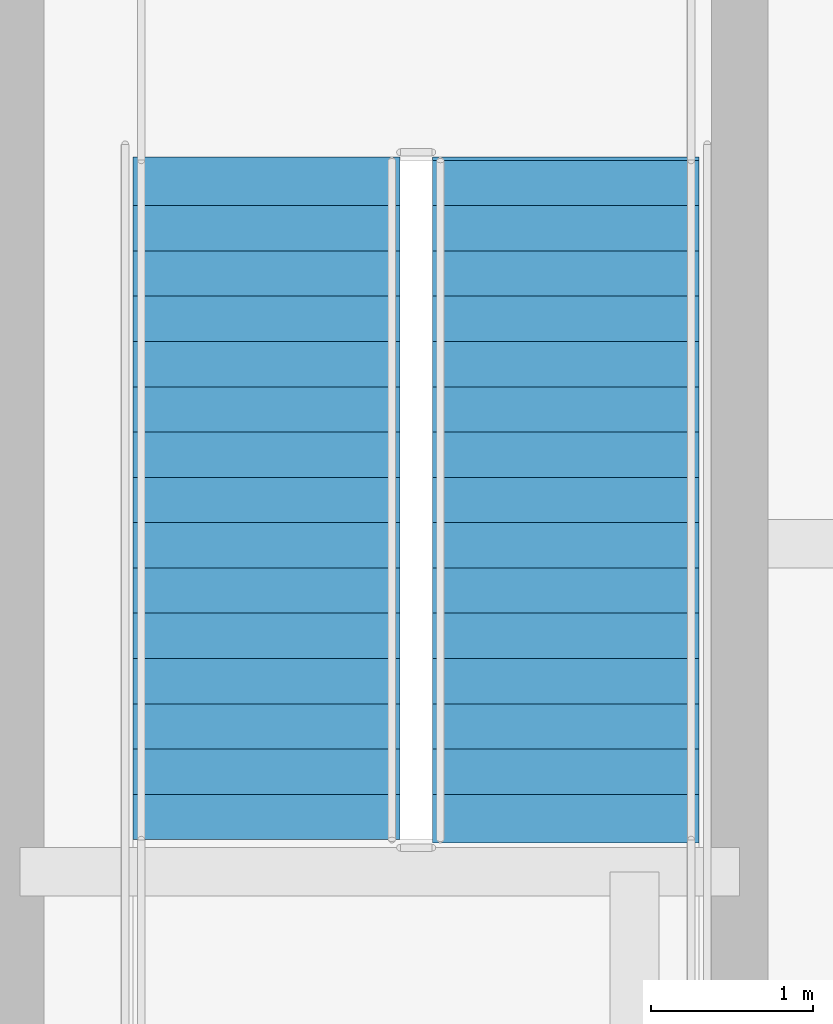
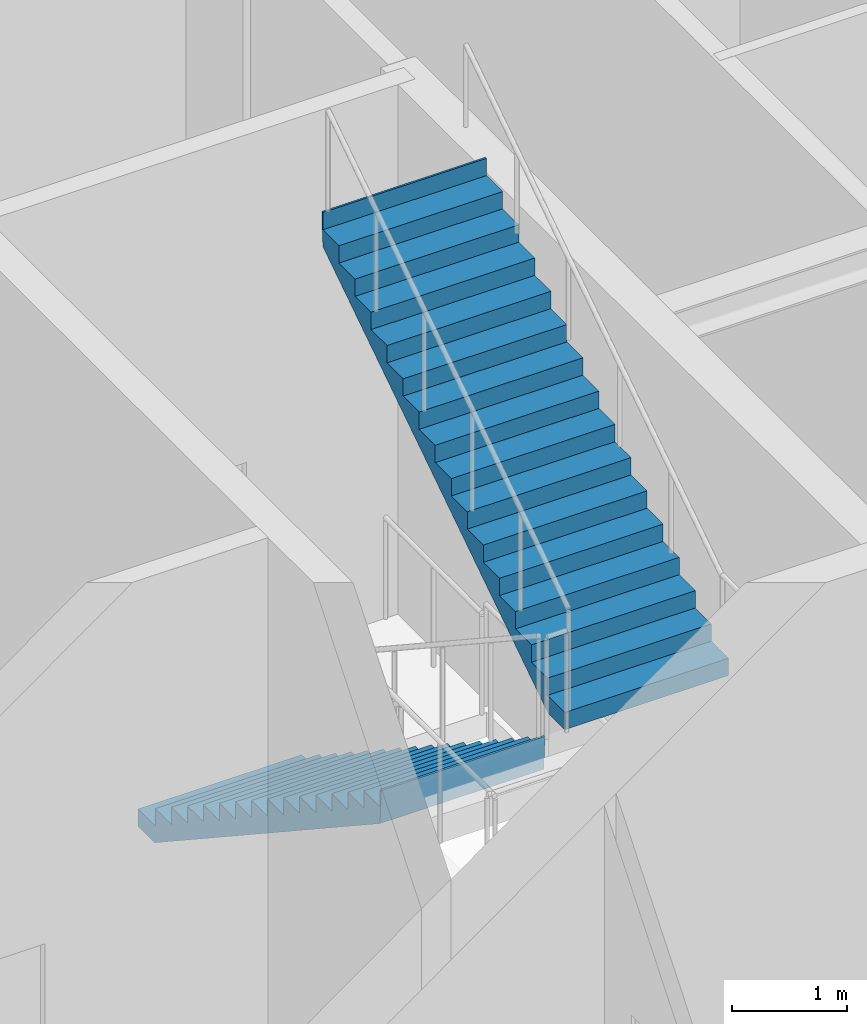
# One storey, part 33 of 38: 2 stair flights, 1 element without a shape of its own.
"""IFC4 building model written with IfcOpenShell, lengths in metres."""

from ifc_helpers import new_model, si_unit, direction, frame, origin, place, context, subcontext, project, spatial, polygons, material, type_object, element, aggregate, save


model = new_model("IFC4")

# Units and contexts
model_context = context("Model", 3, precision=1e-05, world=origin(), true_north=direction((0.0, 1.0)))
body_context = subcontext(model_context, "Body", "Model", "MODEL_VIEW")
ifc_project = project(units=[si_unit("LENGTHUNIT", "METRE"), si_unit("AREAUNIT", "SQUARE_METRE"), si_unit("VOLUMEUNIT", "CUBIC_METRE"), si_unit("PLANEANGLEUNIT", "RADIAN"), si_unit("MASSUNIT", "GRAM", prefix="KILO")], contexts=[model_context])

# Site, building, storey
site_placement = place(None, origin())
site = spatial("IfcSite", under=ifc_project, at=site_placement, CompositionType="ELEMENT")
building_placement = place(site_placement, origin())
building = spatial("IfcBuilding", under=site, at=building_placement, Name="Serunith Strait Residences", CompositionType="ELEMENT")
storey_placement = place(building_placement, frame((0.0, 0.0, 342.050048828125)))
storey = spatial("IfcBuildingStorey", under=building, at=storey_placement, Name="L85", CompositionType="ELEMENT", Elevation=342.050048828125)

# Stair, stair flights
ifc_material = material(Name="Concrete C50/60", Category="concrete")
stair_type = type_object("IfcStairType", Name="STR-CORE-2", PredefinedType="HALF_TURN_STAIR", material=ifc_material)
stair_placement = place(storey_placement, origin())
stair = element("IfcStair", 1, at=stair_placement, inside=storey, type_object=stair_type, Name="L85 Protected Escape Stair ST-2", PredefinedType="HALF_TURN_STAIR")
stair_flight_type = type_object("IfcStairFlightType", Name="FLT-CORE-2", PredefinedType="STRAIGHT", material=ifc_material)
stair_flight_1_placement = place(storey_placement, frame((38.47509765625, 23.3701171875, 0.0), z_axis=(0.0, 0.0, 1.0), x_axis=(0.0, -1.0, 0.0)))
stair_flight_1 = element("IfcStairFlight", 2, at=stair_flight_1_placement, type_object=stair_flight_type, Name="ST-2 flight 1", NumberOfRisers=16, NumberOfTreads=15, PredefinedType="STRAIGHT", RiserHeight=0.184375, TreadLength=0.28, context=body_context, shape_type="Tessellation", body=[
    polygons([(-0.02001953125, -0.824951171875, 0.0), (-0.02001953125, -0.824951171875, 0.184326171875), (0.280029296875, -0.824951171875, 0.184326171875), (0.280029296875, -0.824951171875, 0.36865234375), (0.56005859375, -0.824951171875, 0.36865234375), (0.56005859375, -0.824951171875, 0.55322265625), (0.840087890625, -0.824951171875, 0.55322265625), (0.840087890625, -0.824951171875, 0.737548828125), (1.1201171875, -0.824951171875, 0.737548828125), (1.1201171875, -0.824951171875, 0.921875), (1.39990234375, -0.824951171875, 0.921875), (1.39990234375, -0.824951171875, 1.106201171875), (1.679931640625, -0.824951171875, 1.106201171875), (1.679931640625, -0.824951171875, 1.29052734375), (1.9599609375, -0.824951171875, 1.29052734375), (1.9599609375, -0.824951171875, 1.47509765625), (2.239990234375, -0.824951171875, 1.47509765625), (2.239990234375, -0.824951171875, 1.659423828125), (2.52001953125, -0.824951171875, 1.659423828125), (2.52001953125, -0.824951171875, 1.84375), (2.800048828125, -0.824951171875, 1.84375), (2.800048828125, -0.824951171875, 2.028076171875), (3.080078125, -0.824951171875, 2.028076171875), (3.080078125, -0.824951171875, 2.21240234375), (3.360107421875, -0.824951171875, 2.21240234375), (3.360107421875, -0.824951171875, 2.39697265625), (3.639892578125, -0.824951171875, 2.39697265625), (3.639892578125, -0.824951171875, 2.581298828125), (3.919921875, -0.824951171875, 2.581298828125), (3.919921875, -0.824951171875, 2.765625), (4.199951171875, -0.824951171875, 2.765625), (4.199951171875, -0.824951171875, 2.949951171875), (4.219970703125, -0.824951171875, 2.949951171875), (4.219970703125, -0.824951171875, 2.889892578125), (4.199951171875, -0.824951171875, 2.586181640625), (0.2724609375, -0.824951171875, 0.0), (-0.02001953125, -0.41259765625, 0.0), (-0.02001953125, -0.41259765625, 0.184326171875), (0.280029296875, -0.41259765625, 0.184326171875), (0.280029296875, -0.41259765625, 0.36865234375), (0.56005859375, -0.41259765625, 0.36865234375), (0.56005859375, -0.41259765625, 0.55322265625), (0.840087890625, -0.41259765625, 0.55322265625), (0.840087890625, -0.41259765625, 0.737548828125), (1.1201171875, -0.41259765625, 0.737548828125), (1.1201171875, -0.41259765625, 0.921875), (1.39990234375, -0.41259765625, 0.921875), (1.39990234375, -0.41259765625, 1.106201171875), (1.679931640625, -0.41259765625, 1.106201171875), (1.679931640625, -0.41259765625, 1.29052734375), (1.9599609375, -0.41259765625, 1.29052734375), (1.9599609375, -0.41259765625, 1.47509765625), (2.239990234375, -0.41259765625, 1.47509765625), (2.239990234375, -0.41259765625, 1.659423828125), (2.52001953125, -0.41259765625, 1.659423828125), (2.52001953125, -0.41259765625, 1.84375), (2.800048828125, -0.41259765625, 1.84375), (2.800048828125, -0.41259765625, 2.028076171875), (3.080078125, -0.41259765625, 2.028076171875), (3.080078125, -0.41259765625, 2.21240234375), (3.360107421875, -0.41259765625, 2.21240234375), (3.360107421875, -0.41259765625, 2.39697265625), (3.639892578125, -0.41259765625, 2.39697265625), (3.639892578125, -0.41259765625, 2.581298828125), (3.919921875, -0.41259765625, 2.581298828125), (3.919921875, -0.41259765625, 2.765625), (4.199951171875, -0.41259765625, 2.765625), (4.199951171875, -0.41259765625, 2.949951171875), (4.219970703125, -0.41259765625, 2.949951171875), (4.219970703125, -0.41259765625, 2.889892578125), (4.199951171875, -0.41259765625, 2.586181640625), (0.2724609375, -0.41259765625, 0.0), (-0.02001953125, 0.0, 0.0), (-0.02001953125, 0.0, 0.184326171875), (0.280029296875, 0.0, 0.184326171875), (0.280029296875, 0.0, 0.36865234375), (0.56005859375, 0.0, 0.36865234375), (0.56005859375, 0.0, 0.55322265625), (0.840087890625, 0.0, 0.55322265625), (0.840087890625, 0.0, 0.737548828125), (1.1201171875, 0.0, 0.737548828125), (1.1201171875, 0.0, 0.921875), (1.39990234375, 0.0, 0.921875), (1.39990234375, 0.0, 1.106201171875), (1.679931640625, 0.0, 1.106201171875), (1.679931640625, 0.0, 1.29052734375), (1.9599609375, 0.0, 1.29052734375), (1.9599609375, 0.0, 1.47509765625), (2.239990234375, 0.0, 1.47509765625), (2.239990234375, 0.0, 1.659423828125), (2.52001953125, 0.0, 1.659423828125), (2.52001953125, 0.0, 1.84375), (2.800048828125, 0.0, 1.84375), (2.800048828125, 0.0, 2.028076171875), (3.080078125, 0.0, 2.028076171875), (3.080078125, 0.0, 2.21240234375), (3.360107421875, 0.0, 2.21240234375), (3.360107421875, 0.0, 2.39697265625), (3.639892578125, 0.0, 2.39697265625), (3.639892578125, 0.0, 2.581298828125), (3.919921875, 0.0, 2.581298828125), (3.919921875, 0.0, 2.765625), (4.199951171875, 0.0, 2.765625), (4.199951171875, 0.0, 2.949951171875), (4.219970703125, 0.0, 2.949951171875), (4.219970703125, 0.0, 2.889892578125), (4.199951171875, 0.0, 2.586181640625), (0.2724609375, 0.0, 0.0), (-0.02001953125, 0.41259765625, 0.0), (-0.02001953125, 0.41259765625, 0.184326171875), (0.280029296875, 0.41259765625, 0.184326171875), (0.280029296875, 0.41259765625, 0.36865234375), (0.56005859375, 0.41259765625, 0.36865234375), (0.56005859375, 0.41259765625, 0.55322265625), (0.840087890625, 0.41259765625, 0.55322265625), (0.840087890625, 0.41259765625, 0.737548828125), (1.1201171875, 0.41259765625, 0.737548828125), (1.1201171875, 0.41259765625, 0.921875), (1.39990234375, 0.41259765625, 0.921875), (1.39990234375, 0.41259765625, 1.106201171875), (1.679931640625, 0.41259765625, 1.106201171875), (1.679931640625, 0.41259765625, 1.29052734375), (1.9599609375, 0.41259765625, 1.29052734375), (1.9599609375, 0.41259765625, 1.47509765625), (2.239990234375, 0.41259765625, 1.47509765625), (2.239990234375, 0.41259765625, 1.659423828125), (2.52001953125, 0.41259765625, 1.659423828125), (2.52001953125, 0.41259765625, 1.84375), (2.800048828125, 0.41259765625, 1.84375), (2.800048828125, 0.41259765625, 2.028076171875), (3.080078125, 0.41259765625, 2.028076171875), (3.080078125, 0.41259765625, 2.21240234375), (3.360107421875, 0.41259765625, 2.21240234375), (3.360107421875, 0.41259765625, 2.39697265625), (3.639892578125, 0.41259765625, 2.39697265625), (3.639892578125, 0.41259765625, 2.581298828125), (3.919921875, 0.41259765625, 2.581298828125), (3.919921875, 0.41259765625, 2.765625), (4.199951171875, 0.41259765625, 2.765625), (4.199951171875, 0.41259765625, 2.949951171875), (4.219970703125, 0.41259765625, 2.949951171875), (4.219970703125, 0.41259765625, 2.889892578125), (4.199951171875, 0.41259765625, 2.586181640625), (0.2724609375, 0.41259765625, 0.0), (-0.02001953125, 0.824951171875, 0.0), (-0.02001953125, 0.824951171875, 0.184326171875), (0.280029296875, 0.824951171875, 0.184326171875), (0.280029296875, 0.824951171875, 0.36865234375), (0.56005859375, 0.824951171875, 0.36865234375), (0.56005859375, 0.824951171875, 0.55322265625), (0.840087890625, 0.824951171875, 0.55322265625), (0.840087890625, 0.824951171875, 0.737548828125), (1.1201171875, 0.824951171875, 0.737548828125), (1.1201171875, 0.824951171875, 0.921875), (1.39990234375, 0.824951171875, 0.921875), (1.39990234375, 0.824951171875, 1.106201171875), (1.679931640625, 0.824951171875, 1.106201171875), (1.679931640625, 0.824951171875, 1.29052734375), (1.9599609375, 0.824951171875, 1.29052734375), (1.9599609375, 0.824951171875, 1.47509765625), (2.239990234375, 0.824951171875, 1.47509765625), (2.239990234375, 0.824951171875, 1.659423828125), (2.52001953125, 0.824951171875, 1.659423828125), (2.52001953125, 0.824951171875, 1.84375), (2.800048828125, 0.824951171875, 1.84375), (2.800048828125, 0.824951171875, 2.028076171875), (3.080078125, 0.824951171875, 2.028076171875), (3.080078125, 0.824951171875, 2.21240234375), (3.360107421875, 0.824951171875, 2.21240234375), (3.360107421875, 0.824951171875, 2.39697265625), (3.639892578125, 0.824951171875, 2.39697265625), (3.639892578125, 0.824951171875, 2.581298828125), (3.919921875, 0.824951171875, 2.581298828125), (3.919921875, 0.824951171875, 2.765625), (4.199951171875, 0.824951171875, 2.765625), (4.199951171875, 0.824951171875, 2.949951171875), (4.219970703125, 0.824951171875, 2.949951171875), (4.219970703125, 0.824951171875, 2.889892578125), (4.199951171875, 0.824951171875, 2.586181640625), (0.2724609375, 0.824951171875, 0.0)], [[[1, 2, 38, 37]], [[2, 3, 39, 38]], [[3, 4, 40, 39]], [[4, 5, 41, 40]], [[5, 6, 42, 41]], [[6, 7, 43, 42]], [[7, 8, 44, 43]], [[8, 9, 45, 44]], [[9, 10, 46, 45]], [[10, 11, 47, 46]], [[11, 12, 48, 47]], [[12, 13, 49, 48]], [[13, 14, 50, 49]], [[14, 15, 51, 50]], [[15, 16, 52, 51]], [[16, 17, 53, 52]], [[17, 18, 54, 53]], [[18, 19, 55, 54]], [[19, 20, 56, 55]], [[20, 21, 57, 56]], [[21, 22, 58, 57]], [[22, 23, 59, 58]], [[23, 24, 60, 59]], [[24, 25, 61, 60]], [[25, 26, 62, 61]], [[26, 27, 63, 62]], [[27, 28, 64, 63]], [[28, 29, 65, 64]], [[29, 30, 66, 65]], [[30, 31, 67, 66]], [[31, 32, 68, 67]], [[32, 33, 69, 68]], [[33, 34, 70, 69]], [[34, 35, 71, 70]], [[35, 36, 72, 71]], [[36, 1, 37, 72]], [[37, 38, 74, 73]], [[38, 39, 75, 74]], [[39, 40, 76, 75]], [[40, 41, 77, 76]], [[41, 42, 78, 77]], [[42, 43, 79, 78]], [[43, 44, 80, 79]], [[44, 45, 81, 80]], [[45, 46, 82, 81]], [[46, 47, 83, 82]], [[47, 48, 84, 83]], [[48, 49, 85, 84]], [[49, 50, 86, 85]], [[50, 51, 87, 86]], [[51, 52, 88, 87]], [[52, 53, 89, 88]], [[53, 54, 90, 89]], [[54, 55, 91, 90]], [[55, 56, 92, 91]], [[56, 57, 93, 92]], [[57, 58, 94, 93]], [[58, 59, 95, 94]], [[59, 60, 96, 95]], [[60, 61, 97, 96]], [[61, 62, 98, 97]], [[62, 63, 99, 98]], [[63, 64, 100, 99]], [[64, 65, 101, 100]], [[65, 66, 102, 101]], [[66, 67, 103, 102]], [[67, 68, 104, 103]], [[68, 69, 105, 104]], [[69, 70, 106, 105]], [[70, 71, 107, 106]], [[71, 72, 108, 107]], [[72, 37, 73, 108]], [[73, 74, 110, 109]], [[74, 75, 111, 110]], [[75, 76, 112, 111]], [[76, 77, 113, 112]], [[77, 78, 114, 113]], [[78, 79, 115, 114]], [[79, 80, 116, 115]], [[80, 81, 117, 116]], [[81, 82, 118, 117]], [[82, 83, 119, 118]], [[83, 84, 120, 119]], [[84, 85, 121, 120]], [[85, 86, 122, 121]], [[86, 87, 123, 122]], [[87, 88, 124, 123]], [[88, 89, 125, 124]], [[89, 90, 126, 125]], [[90, 91, 127, 126]], [[91, 92, 128, 127]], [[92, 93, 129, 128]], [[93, 94, 130, 129]], [[94, 95, 131, 130]], [[95, 96, 132, 131]], [[96, 97, 133, 132]], [[97, 98, 134, 133]], [[98, 99, 135, 134]], [[99, 100, 136, 135]], [[100, 101, 137, 136]], [[101, 102, 138, 137]], [[102, 103, 139, 138]], [[103, 104, 140, 139]], [[104, 105, 141, 140]], [[105, 106, 142, 141]], [[106, 107, 143, 142]], [[107, 108, 144, 143]], [[108, 73, 109, 144]], [[109, 110, 146, 145]], [[110, 111, 147, 146]], [[111, 112, 148, 147]], [[112, 113, 149, 148]], [[113, 114, 150, 149]], [[114, 115, 151, 150]], [[115, 116, 152, 151]], [[116, 117, 153, 152]], [[117, 118, 154, 153]], [[118, 119, 155, 154]], [[119, 120, 156, 155]], [[120, 121, 157, 156]], [[121, 122, 158, 157]], [[122, 123, 159, 158]], [[123, 124, 160, 159]], [[124, 125, 161, 160]], [[125, 126, 162, 161]], [[126, 127, 163, 162]], [[127, 128, 164, 163]], [[128, 129, 165, 164]], [[129, 130, 166, 165]], [[130, 131, 167, 166]], [[131, 132, 168, 167]], [[132, 133, 169, 168]], [[133, 134, 170, 169]], [[134, 135, 171, 170]], [[135, 136, 172, 171]], [[136, 137, 173, 172]], [[137, 138, 174, 173]], [[138, 139, 175, 174]], [[139, 140, 176, 175]], [[140, 141, 177, 176]], [[141, 142, 178, 177]], [[142, 143, 179, 178]], [[143, 144, 180, 179]], [[144, 109, 145, 180]], [[36, 35, 34, 33, 32, 31, 30, 29, 28, 27, 26, 25, 24, 23, 22, 21, 20, 19, 18, 17, 16, 15, 14, 13, 12, 11, 10, 9, 8, 7, 6, 5, 4, 3, 2, 1]], [[145, 146, 147, 148, 149, 150, 151, 152, 153, 154, 155, 156, 157, 158, 159, 160, 161, 162, 163, 164, 165, 166, 167, 168, 169, 170, 171, 172, 173, 174, 175, 176, 177, 178, 179, 180]]], closed=True),
])
stair_flight_2_placement = place(storey_placement, frame((40.324951171875, 19.169921875, 2.949951171875), z_axis=(0.0, 0.0, 1.0), x_axis=(0.0, 1.0, 0.0)))
stair_flight_2 = element("IfcStairFlight", 3, at=stair_flight_2_placement, type_object=stair_flight_type, Name="ST-2 flight 2", NumberOfRisers=16, NumberOfTreads=15, PredefinedType="STRAIGHT", RiserHeight=0.184375, TreadLength=0.28, context=body_context, shape_type="Tessellation", body=[
    polygons([(-0.02001953125, -0.824951171875, 0.0), (-0.02001953125, -0.824951171875, 0.184326171875), (0.280029296875, -0.824951171875, 0.184326171875), (0.280029296875, -0.824951171875, 0.36865234375), (0.56005859375, -0.824951171875, 0.36865234375), (0.56005859375, -0.824951171875, 0.55322265625), (0.840087890625, -0.824951171875, 0.55322265625), (0.840087890625, -0.824951171875, 0.737548828125), (1.1201171875, -0.824951171875, 0.737548828125), (1.1201171875, -0.824951171875, 0.921875), (1.39990234375, -0.824951171875, 0.921875), (1.39990234375, -0.824951171875, 1.106201171875), (1.679931640625, -0.824951171875, 1.106201171875), (1.679931640625, -0.824951171875, 1.29052734375), (1.9599609375, -0.824951171875, 1.29052734375), (1.9599609375, -0.824951171875, 1.47509765625), (2.239990234375, -0.824951171875, 1.47509765625), (2.239990234375, -0.824951171875, 1.659423828125), (2.52001953125, -0.824951171875, 1.659423828125), (2.52001953125, -0.824951171875, 1.84375), (2.800048828125, -0.824951171875, 1.84375), (2.800048828125, -0.824951171875, 2.028076171875), (3.080078125, -0.824951171875, 2.028076171875), (3.080078125, -0.824951171875, 2.21240234375), (3.360107421875, -0.824951171875, 2.21240234375), (3.360107421875, -0.824951171875, 2.39697265625), (3.639892578125, -0.824951171875, 2.39697265625), (3.639892578125, -0.824951171875, 2.581298828125), (3.919921875, -0.824951171875, 2.581298828125), (3.919921875, -0.824951171875, 2.765625), (4.199951171875, -0.824951171875, 2.765625), (4.199951171875, -0.824951171875, 2.949951171875), (4.219970703125, -0.824951171875, 2.949951171875), (4.219970703125, -0.824951171875, 2.889892578125), (4.199951171875, -0.824951171875, 2.586181640625), (0.2724609375, -0.824951171875, 0.0), (-0.02001953125, -0.41259765625, 0.0), (-0.02001953125, -0.41259765625, 0.184326171875), (0.280029296875, -0.41259765625, 0.184326171875), (0.280029296875, -0.41259765625, 0.36865234375), (0.56005859375, -0.41259765625, 0.36865234375), (0.56005859375, -0.41259765625, 0.55322265625), (0.840087890625, -0.41259765625, 0.55322265625), (0.840087890625, -0.41259765625, 0.737548828125), (1.1201171875, -0.41259765625, 0.737548828125), (1.1201171875, -0.41259765625, 0.921875), (1.39990234375, -0.41259765625, 0.921875), (1.39990234375, -0.41259765625, 1.106201171875), (1.679931640625, -0.41259765625, 1.106201171875), (1.679931640625, -0.41259765625, 1.29052734375), (1.9599609375, -0.41259765625, 1.29052734375), (1.9599609375, -0.41259765625, 1.47509765625), (2.239990234375, -0.41259765625, 1.47509765625), (2.239990234375, -0.41259765625, 1.659423828125), (2.52001953125, -0.41259765625, 1.659423828125), (2.52001953125, -0.41259765625, 1.84375), (2.800048828125, -0.41259765625, 1.84375), (2.800048828125, -0.41259765625, 2.028076171875), (3.080078125, -0.41259765625, 2.028076171875), (3.080078125, -0.41259765625, 2.21240234375), (3.360107421875, -0.41259765625, 2.21240234375), (3.360107421875, -0.41259765625, 2.39697265625), (3.639892578125, -0.41259765625, 2.39697265625), (3.639892578125, -0.41259765625, 2.581298828125), (3.919921875, -0.41259765625, 2.581298828125), (3.919921875, -0.41259765625, 2.765625), (4.199951171875, -0.41259765625, 2.765625), (4.199951171875, -0.41259765625, 2.949951171875), (4.219970703125, -0.41259765625, 2.949951171875), (4.219970703125, -0.41259765625, 2.889892578125), (4.199951171875, -0.41259765625, 2.586181640625), (0.2724609375, -0.41259765625, 0.0), (-0.02001953125, 0.0, 0.0), (-0.02001953125, 0.0, 0.184326171875), (0.280029296875, 0.0, 0.184326171875), (0.280029296875, 0.0, 0.36865234375), (0.56005859375, 0.0, 0.36865234375), (0.56005859375, 0.0, 0.55322265625), (0.840087890625, 0.0, 0.55322265625), (0.840087890625, 0.0, 0.737548828125), (1.1201171875, 0.0, 0.737548828125), (1.1201171875, 0.0, 0.921875), (1.39990234375, 0.0, 0.921875), (1.39990234375, 0.0, 1.106201171875), (1.679931640625, 0.0, 1.106201171875), (1.679931640625, 0.0, 1.29052734375), (1.9599609375, 0.0, 1.29052734375), (1.9599609375, 0.0, 1.47509765625), (2.239990234375, 0.0, 1.47509765625), (2.239990234375, 0.0, 1.659423828125), (2.52001953125, 0.0, 1.659423828125), (2.52001953125, 0.0, 1.84375), (2.800048828125, 0.0, 1.84375), (2.800048828125, 0.0, 2.028076171875), (3.080078125, 0.0, 2.028076171875), (3.080078125, 0.0, 2.21240234375), (3.360107421875, 0.0, 2.21240234375), (3.360107421875, 0.0, 2.39697265625), (3.639892578125, 0.0, 2.39697265625), (3.639892578125, 0.0, 2.581298828125), (3.919921875, 0.0, 2.581298828125), (3.919921875, 0.0, 2.765625), (4.199951171875, 0.0, 2.765625), (4.199951171875, 0.0, 2.949951171875), (4.219970703125, 0.0, 2.949951171875), (4.219970703125, 0.0, 2.889892578125), (4.199951171875, 0.0, 2.586181640625), (0.2724609375, 0.0, 0.0), (-0.02001953125, 0.41259765625, 0.0), (-0.02001953125, 0.41259765625, 0.184326171875), (0.280029296875, 0.41259765625, 0.184326171875), (0.280029296875, 0.41259765625, 0.36865234375), (0.56005859375, 0.41259765625, 0.36865234375), (0.56005859375, 0.41259765625, 0.55322265625), (0.840087890625, 0.41259765625, 0.55322265625), (0.840087890625, 0.41259765625, 0.737548828125), (1.1201171875, 0.41259765625, 0.737548828125), (1.1201171875, 0.41259765625, 0.921875), (1.39990234375, 0.41259765625, 0.921875), (1.39990234375, 0.41259765625, 1.106201171875), (1.679931640625, 0.41259765625, 1.106201171875), (1.679931640625, 0.41259765625, 1.29052734375), (1.9599609375, 0.41259765625, 1.29052734375), (1.9599609375, 0.41259765625, 1.47509765625), (2.239990234375, 0.41259765625, 1.47509765625), (2.239990234375, 0.41259765625, 1.659423828125), (2.52001953125, 0.41259765625, 1.659423828125), (2.52001953125, 0.41259765625, 1.84375), (2.800048828125, 0.41259765625, 1.84375), (2.800048828125, 0.41259765625, 2.028076171875), (3.080078125, 0.41259765625, 2.028076171875), (3.080078125, 0.41259765625, 2.21240234375), (3.360107421875, 0.41259765625, 2.21240234375), (3.360107421875, 0.41259765625, 2.39697265625), (3.639892578125, 0.41259765625, 2.39697265625), (3.639892578125, 0.41259765625, 2.581298828125), (3.919921875, 0.41259765625, 2.581298828125), (3.919921875, 0.41259765625, 2.765625), (4.199951171875, 0.41259765625, 2.765625), (4.199951171875, 0.41259765625, 2.949951171875), (4.219970703125, 0.41259765625, 2.949951171875), (4.219970703125, 0.41259765625, 2.889892578125), (4.199951171875, 0.41259765625, 2.586181640625), (0.2724609375, 0.41259765625, 0.0), (-0.02001953125, 0.824951171875, 0.0), (-0.02001953125, 0.824951171875, 0.184326171875), (0.280029296875, 0.824951171875, 0.184326171875), (0.280029296875, 0.824951171875, 0.36865234375), (0.56005859375, 0.824951171875, 0.36865234375), (0.56005859375, 0.824951171875, 0.55322265625), (0.840087890625, 0.824951171875, 0.55322265625), (0.840087890625, 0.824951171875, 0.737548828125), (1.1201171875, 0.824951171875, 0.737548828125), (1.1201171875, 0.824951171875, 0.921875), (1.39990234375, 0.824951171875, 0.921875), (1.39990234375, 0.824951171875, 1.106201171875), (1.679931640625, 0.824951171875, 1.106201171875), (1.679931640625, 0.824951171875, 1.29052734375), (1.9599609375, 0.824951171875, 1.29052734375), (1.9599609375, 0.824951171875, 1.47509765625), (2.239990234375, 0.824951171875, 1.47509765625), (2.239990234375, 0.824951171875, 1.659423828125), (2.52001953125, 0.824951171875, 1.659423828125), (2.52001953125, 0.824951171875, 1.84375), (2.800048828125, 0.824951171875, 1.84375), (2.800048828125, 0.824951171875, 2.028076171875), (3.080078125, 0.824951171875, 2.028076171875), (3.080078125, 0.824951171875, 2.21240234375), (3.360107421875, 0.824951171875, 2.21240234375), (3.360107421875, 0.824951171875, 2.39697265625), (3.639892578125, 0.824951171875, 2.39697265625), (3.639892578125, 0.824951171875, 2.581298828125), (3.919921875, 0.824951171875, 2.581298828125), (3.919921875, 0.824951171875, 2.765625), (4.199951171875, 0.824951171875, 2.765625), (4.199951171875, 0.824951171875, 2.949951171875), (4.219970703125, 0.824951171875, 2.949951171875), (4.219970703125, 0.824951171875, 2.889892578125), (4.199951171875, 0.824951171875, 2.586181640625), (0.2724609375, 0.824951171875, 0.0)], [[[1, 2, 38, 37]], [[2, 3, 39, 38]], [[3, 4, 40, 39]], [[4, 5, 41, 40]], [[5, 6, 42, 41]], [[6, 7, 43, 42]], [[7, 8, 44, 43]], [[8, 9, 45, 44]], [[9, 10, 46, 45]], [[10, 11, 47, 46]], [[11, 12, 48, 47]], [[12, 13, 49, 48]], [[13, 14, 50, 49]], [[14, 15, 51, 50]], [[15, 16, 52, 51]], [[16, 17, 53, 52]], [[17, 18, 54, 53]], [[18, 19, 55, 54]], [[19, 20, 56, 55]], [[20, 21, 57, 56]], [[21, 22, 58, 57]], [[22, 23, 59, 58]], [[23, 24, 60, 59]], [[24, 25, 61, 60]], [[25, 26, 62, 61]], [[26, 27, 63, 62]], [[27, 28, 64, 63]], [[28, 29, 65, 64]], [[29, 30, 66, 65]], [[30, 31, 67, 66]], [[31, 32, 68, 67]], [[32, 33, 69, 68]], [[33, 34, 70, 69]], [[34, 35, 71, 70]], [[35, 36, 72, 71]], [[36, 1, 37, 72]], [[37, 38, 74, 73]], [[38, 39, 75, 74]], [[39, 40, 76, 75]], [[40, 41, 77, 76]], [[41, 42, 78, 77]], [[42, 43, 79, 78]], [[43, 44, 80, 79]], [[44, 45, 81, 80]], [[45, 46, 82, 81]], [[46, 47, 83, 82]], [[47, 48, 84, 83]], [[48, 49, 85, 84]], [[49, 50, 86, 85]], [[50, 51, 87, 86]], [[51, 52, 88, 87]], [[52, 53, 89, 88]], [[53, 54, 90, 89]], [[54, 55, 91, 90]], [[55, 56, 92, 91]], [[56, 57, 93, 92]], [[57, 58, 94, 93]], [[58, 59, 95, 94]], [[59, 60, 96, 95]], [[60, 61, 97, 96]], [[61, 62, 98, 97]], [[62, 63, 99, 98]], [[63, 64, 100, 99]], [[64, 65, 101, 100]], [[65, 66, 102, 101]], [[66, 67, 103, 102]], [[67, 68, 104, 103]], [[68, 69, 105, 104]], [[69, 70, 106, 105]], [[70, 71, 107, 106]], [[71, 72, 108, 107]], [[72, 37, 73, 108]], [[73, 74, 110, 109]], [[74, 75, 111, 110]], [[75, 76, 112, 111]], [[76, 77, 113, 112]], [[77, 78, 114, 113]], [[78, 79, 115, 114]], [[79, 80, 116, 115]], [[80, 81, 117, 116]], [[81, 82, 118, 117]], [[82, 83, 119, 118]], [[83, 84, 120, 119]], [[84, 85, 121, 120]], [[85, 86, 122, 121]], [[86, 87, 123, 122]], [[87, 88, 124, 123]], [[88, 89, 125, 124]], [[89, 90, 126, 125]], [[90, 91, 127, 126]], [[91, 92, 128, 127]], [[92, 93, 129, 128]], [[93, 94, 130, 129]], [[94, 95, 131, 130]], [[95, 96, 132, 131]], [[96, 97, 133, 132]], [[97, 98, 134, 133]], [[98, 99, 135, 134]], [[99, 100, 136, 135]], [[100, 101, 137, 136]], [[101, 102, 138, 137]], [[102, 103, 139, 138]], [[103, 104, 140, 139]], [[104, 105, 141, 140]], [[105, 106, 142, 141]], [[106, 107, 143, 142]], [[107, 108, 144, 143]], [[108, 73, 109, 144]], [[109, 110, 146, 145]], [[110, 111, 147, 146]], [[111, 112, 148, 147]], [[112, 113, 149, 148]], [[113, 114, 150, 149]], [[114, 115, 151, 150]], [[115, 116, 152, 151]], [[116, 117, 153, 152]], [[117, 118, 154, 153]], [[118, 119, 155, 154]], [[119, 120, 156, 155]], [[120, 121, 157, 156]], [[121, 122, 158, 157]], [[122, 123, 159, 158]], [[123, 124, 160, 159]], [[124, 125, 161, 160]], [[125, 126, 162, 161]], [[126, 127, 163, 162]], [[127, 128, 164, 163]], [[128, 129, 165, 164]], [[129, 130, 166, 165]], [[130, 131, 167, 166]], [[131, 132, 168, 167]], [[132, 133, 169, 168]], [[133, 134, 170, 169]], [[134, 135, 171, 170]], [[135, 136, 172, 171]], [[136, 137, 173, 172]], [[137, 138, 174, 173]], [[138, 139, 175, 174]], [[139, 140, 176, 175]], [[140, 141, 177, 176]], [[141, 142, 178, 177]], [[142, 143, 179, 178]], [[143, 144, 180, 179]], [[144, 109, 145, 180]], [[36, 35, 34, 33, 32, 31, 30, 29, 28, 27, 26, 25, 24, 23, 22, 21, 20, 19, 18, 17, 16, 15, 14, 13, 12, 11, 10, 9, 8, 7, 6, 5, 4, 3, 2, 1]], [[145, 146, 147, 148, 149, 150, 151, 152, 153, 154, 155, 156, 157, 158, 159, 160, 161, 162, 163, 164, 165, 166, 167, 168, 169, 170, 171, 172, 173, 174, 175, 176, 177, 178, 179, 180]]], closed=True),
])
aggregate(stair, [stair_flight_1, stair_flight_2])

save(model, "model.ifc")
